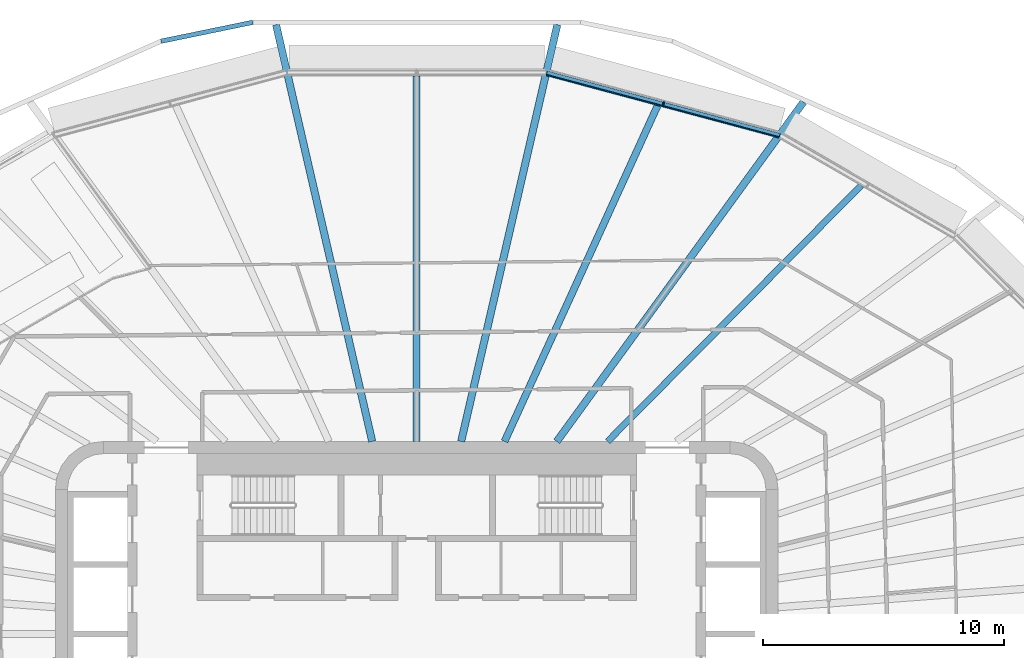
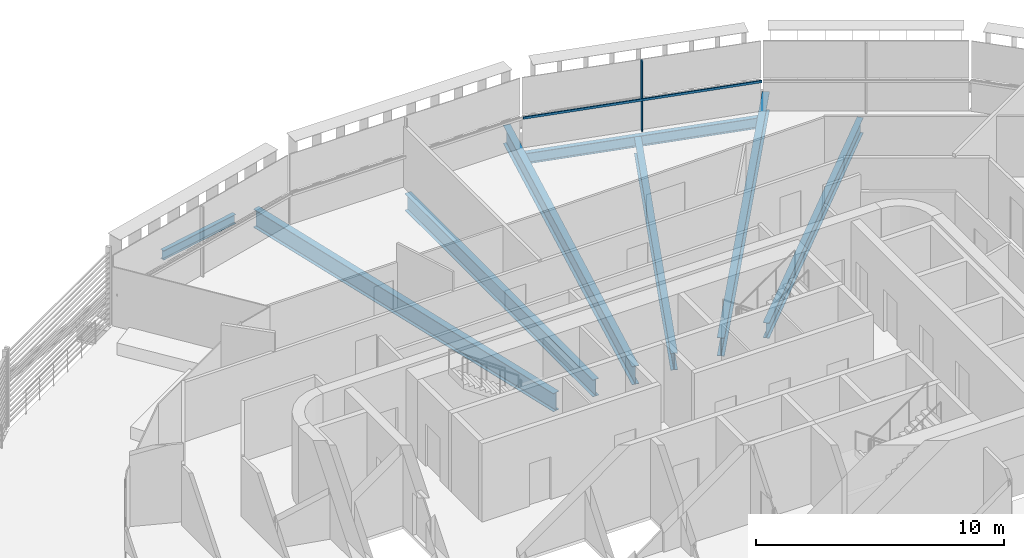
# One storey, part 6 of 23: 8 beams, 2 members, 1 element without a shape of its own.
"""IFC4 building model written with IfcOpenShell, lengths in metres."""

from ifc_helpers import new_model, si_unit, direction, frame, origin, origin_2d, place, context, subcontext, project, spatial, rectangle, i_section, extrude, material, layer, layer_set, material_profile, profile_set, type_object, element, aggregate, save


model = new_model("IFC4")

# Units and contexts
model_context = context("Model", 3, precision=1e-05, world=origin(), true_north=direction((0.0, 1.0)))
body_context = subcontext(model_context, "Body", "Model", "MODEL_VIEW")
ifc_project = project(units=[si_unit("LENGTHUNIT", "METRE"), si_unit("AREAUNIT", "SQUARE_METRE"), si_unit("VOLUMEUNIT", "CUBIC_METRE"), si_unit("PLANEANGLEUNIT", "RADIAN"), si_unit("MASSUNIT", "GRAM", prefix="KILO")], contexts=[model_context])

# Site, building, storey
site_placement = place(None, origin())
site = spatial("IfcSite", under=ifc_project, at=site_placement, CompositionType="ELEMENT")
building_placement = place(site_placement, origin())
building = spatial("IfcBuilding", under=site, at=building_placement, Name="Sahrelin Media Tower", CompositionType="ELEMENT")
storey_placement = place(building_placement, frame((0.0, 0.0, 169.60009765625)))
storey = spatial("IfcBuildingStorey", under=building, at=storey_placement, Name="L35", CompositionType="ELEMENT", Elevation=169.60009765625)

# Beam
ifc_material_1 = material(Name="Steel S355", Category="steel")
ifc_material_profile_1 = material_profile(ifc_material_1, i_section(OverallWidth=0.208740234375, OverallDepth=0.5283203125, WebThickness=0.009521484375, FlangeThickness=0.01318359375, FilletRadius=0.0126953125, at=origin_2d()), Name="UB 533x210x82")
ifc_profile_set_1 = profile_set([ifc_material_profile_1], Name="Steel S355")
beam_type_1 = type_object("IfcBeamType", Name="Edge beam EB6", PredefinedType="BEAM", material=ifc_profile_set_1)
beam_1_placement = place(storey_placement, frame((5.399658203125, 23.274658203125, -0.414306640625), z_axis=(0.965928765313, -0.258808076268, 0.0), x_axis=(0.258808076268, 0.965928765313, 0.0)))
element("IfcBeam", 1, at=beam_1_placement, inside=storey, type_object=beam_type_1, Name="Edge beam L35-20", PredefinedType="BEAM", context=body_context, shape_type="SweptSolid", body=[
    extrude(i_section(OverallWidth=0.208740234375, OverallDepth=0.5283203125, WebThickness=0.009521484375, FlangeThickness=0.01318359375, FilletRadius=0.0126953125, at=origin_2d()), origin(), (0.0, 0.0, 1.0), 10.001220703125),
])

# Curtain wall, member
ifc_material_2 = material(Name="Champagne anodised aluminium 6063-T6", Category="aluminium")
ifc_layer = layer(ifc_material_2, 0.14990234375)
ifc_layer_set = layer_set([ifc_layer], Name="Tower ribbon curtain wall")
curtain_wall_type = type_object("IfcCurtainWallType", Name="Tower ribbon curtain wall", PredefinedType="NOTDEFINED", material=ifc_layer_set)
curtain_wall_placement = place(storey_placement, frame((10.268798828125, 22.125244140625, 0.0), z_axis=(0.0, 0.0, 1.0), x_axis=(1.0, 0.0, 0.0)))
curtain_wall = element("IfcCurtainWall", 2, at=curtain_wall_placement, inside=storey, type_object=curtain_wall_type, Name="L35:CW:L35-05", PredefinedType="NOTDEFINED")
ifc_material_profile_2 = material_profile(ifc_material_2, rectangle(XDim=0.06005859375, YDim=0.175048828125, at=origin_2d()), Name="Mullion 60x175")
ifc_profile_set_2 = profile_set([ifc_material_profile_2], Name="Champagne anodised aluminium 6063-T6")
member_type_1 = type_object("IfcMemberType", Name="Mullion 60x175 CW1B", PredefinedType="MULLION", material=ifc_profile_set_2)
member_1_placement = place(storey_placement, frame((10.240966796875, 22.021484375, 0.0), z_axis=(0.0, 0.0, 1.0), x_axis=(-0.965924019368, 0.258825788531, 0.0)))
member_1 = element("IfcMember", 3, at=member_1_placement, type_object=member_type_1, Name="L35:CWM:L35-05", PredefinedType="MULLION", context=body_context, shape_type="SweptSolid", body=[
    extrude(rectangle(XDim=0.06005859375, YDim=0.175048828125, at=origin_2d()), origin(), (0.0, 0.0, 1.0), 3.448486328125),
])

# Beams
ifc_material_profile_3 = material_profile(ifc_material_1, i_section(OverallWidth=0.30322265625, OverallDepth=0.903076171875, WebThickness=0.01513671875, FlangeThickness=0.020263671875, FilletRadius=0.01904296875, at=origin_2d()), Name="UB 914x305x201")
ifc_profile_set_3 = profile_set([ifc_material_profile_3], Name="Steel S355")
beam_type_2 = type_object("IfcBeamType", Name="Radial primary beam PB11", PredefinedType="BEAM", material=ifc_profile_set_3)
beam_2_placement = place(storey_placement, frame((5.813720703125, 8.0, -0.6015625), z_axis=(0.587891589899, 0.808939724903, 0.0), x_axis=(-0.808939724903, 0.587891589899, 0.0)))
element("IfcBeam", 4, at=beam_2_placement, inside=storey, type_object=beam_type_2, Name="Radial beam L35-05", PredefinedType="BEAM", context=body_context, shape_type="SweptSolid", body=[
    extrude(i_section(OverallWidth=0.30322265625, OverallDepth=0.903076171875, WebThickness=0.01513671875, FlangeThickness=0.020263671875, FilletRadius=0.01904296875, at=origin_2d()), origin(), (0.0, 0.0, 1.0), 17.415283203125),
])
for number, where, z_axis, x_axis, name in (
    (5, (1.845703125, 8.0, -0.6015625), (0.224811304433, 0.974402318039, 0.0), (-0.974402318039, 0.224811304433, 0.0), "Radial beam L35-06"),
    (6, (-1.845703125, 8.0, -0.6015625), (-0.224811304433, 0.974402318039, 0.0), (-0.974402318039, -0.224811304433, 0.0), "Radial beam L35-07"),
):
    element("IfcBeam", number, at=place(storey_placement, frame(where, z_axis=z_axis, x_axis=x_axis)), inside=storey, type_object=beam_type_2, Name=name, PredefinedType="BEAM", context=body_context, shape_type="SweptSolid", body=[
        extrude(i_section(OverallWidth=0.30322265625, OverallDepth=0.903076171875, WebThickness=0.01513671875, FlangeThickness=0.020263671875, FilletRadius=0.01904296875, at=origin_2d()), origin(), (0.0, 0.0, 1.0), 17.755859375),
    ])
ifc_material_profile_4 = material_profile(ifc_material_1, i_section(OverallWidth=0.291748046875, OverallDepth=0.8349609375, WebThickness=0.013916015625, FlangeThickness=0.018798828125, FilletRadius=0.017822265625, at=origin_2d()), Name="UB 838x292x176")
ifc_profile_set_4 = profile_set([ifc_material_profile_4], Name="Steel S355")
beam_type_3 = type_object("IfcBeamType", Name="Radial secondary beam SB10", PredefinedType="BEAM", material=ifc_profile_set_4)
beam_3_placement = place(storey_placement, frame((3.645751953125, 8.0, -0.567626953125), z_axis=(0.414680791378, 0.909966945148, 0.0), x_axis=(-0.909966945148, 0.414680791378, 0.0)))
element("IfcBeam", 7, at=beam_3_placement, inside=storey, type_object=beam_type_3, Name="Secondary beam L35-05", PredefinedType="BEAM", context=body_context, shape_type="SweptSolid", body=[
    extrude(i_section(OverallWidth=0.291748046875, OverallDepth=0.8349609375, WebThickness=0.013916015625, FlangeThickness=0.018798828125, FilletRadius=0.017822265625, at=origin_2d()), origin(), (0.0, 0.0, 1.0), 15.313720703125),
])
beam_4_placement = place(storey_placement, frame((0.0, 8.0, -0.567626953125), z_axis=(0.0, 1.0, 0.0), x_axis=(-1.0, 0.0, 0.0)))
element("IfcBeam", 8, at=beam_4_placement, inside=storey, type_object=beam_type_3, Name="Secondary beam L35-06", PredefinedType="BEAM", context=body_context, shape_type="SweptSolid", body=[
    extrude(i_section(OverallWidth=0.291748046875, OverallDepth=0.8349609375, WebThickness=0.013916015625, FlangeThickness=0.018798828125, FilletRadius=0.017822265625, at=origin_2d()), origin(), (0.0, 0.0, 1.0), 15.164794921875),
])
ifc_material_profile_5 = material_profile(ifc_material_1, i_section(OverallWidth=0.26513671875, OverallDepth=0.75390625, WebThickness=0.0126953125, FlangeThickness=0.017578125, FilletRadius=0.0166015625, at=origin_2d()), Name="UB 762x267x147")
ifc_profile_set_5 = profile_set([ifc_material_profile_5], Name="Steel S355")
beam_type_4 = type_object("IfcBeamType", Name="Radial secondary beam SB9", PredefinedType="BEAM", material=ifc_profile_set_5)
beam_5_placement = place(storey_placement, frame((7.9228515625, 8.0, -0.527099609375), z_axis=(0.703670153618, 0.710526786904, 0.0), x_axis=(-0.710526786904, 0.703670153618, 0.0)))
element("IfcBeam", 9, at=beam_5_placement, inside=storey, type_object=beam_type_4, Name="Secondary beam L35-04", PredefinedType="BEAM", context=body_context, shape_type="SweptSolid", body=[
    extrude(i_section(OverallWidth=0.26513671875, OverallDepth=0.75390625, WebThickness=0.0126953125, FlangeThickness=0.017578125, FilletRadius=0.0166015625, at=origin_2d()), origin(), (0.0, 0.0, 1.0), 14.954833984375),
])
ifc_material_profile_6 = material_profile(ifc_material_1, i_section(OverallWidth=0.1904296875, OverallDepth=0.45703125, WebThickness=0.009033203125, FlangeThickness=0.014404296875, FilletRadius=0.01025390625, at=origin_2d()), Name="UB 457x191x74")
ifc_profile_set_6 = profile_set([ifc_material_profile_6], Name="Steel S355")
beam_type_5 = type_object("IfcBeamType", Name="Tie chord TC5", PredefinedType="BEAM", material=ifc_profile_set_6)
beam_6_placement = place(storey_placement, frame((-6.79833984375, 25.396484375, -0.378662109375), z_axis=(-0.979388114358, -0.201987428952, 0.0), x_axis=(0.201987428952, -0.979388114358, 0.0)))
element("IfcBeam", 10, at=beam_6_placement, inside=storey, type_object=beam_type_5, Name="Tie chord L35-07", PredefinedType="BEAM", context=body_context, shape_type="SweptSolid", body=[
    extrude(i_section(OverallWidth=0.1904296875, OverallDepth=0.45703125, WebThickness=0.009033203125, FlangeThickness=0.014404296875, FilletRadius=0.01025390625, at=origin_2d()), origin(), (0.0, 0.0, 1.0), 3.89208984375),
])

# Member
ifc_material_profile_7 = material_profile(ifc_material_2, rectangle(XDim=0.050048828125, YDim=0.110107421875, at=origin_2d()), Name="Transom 50x110")
ifc_profile_set_7 = profile_set([ifc_material_profile_7], Name="Champagne anodised aluminium 6063-T6")
member_type_2 = type_object("IfcMemberType", Name="Transom 50x110 CW1B", PredefinedType="USERDEFINED", material=ifc_profile_set_7)
member_2_placement = place(storey_placement, frame((15.02685546875, 20.62255859375, 1.599853515625), z_axis=(-0.965921270769, 0.258836045938, 0.0), x_axis=(-0.258836045938, -0.965921270769, 0.0)))
member_2 = element("IfcMember", 11, at=member_2_placement, type_object=member_type_2, Name="L35:CWT:L35-05", ObjectType="TRANSOM", PredefinedType="USERDEFINED", context=body_context, shape_type="SweptSolid", body=[
    extrude(rectangle(XDim=0.050048828125, YDim=0.110107421875, at=origin_2d()), origin(), (0.0, 0.0, 1.0), 9.969970703125),
])

aggregate(curtain_wall, [member_1, member_2])

save(model, "model.ifc")
